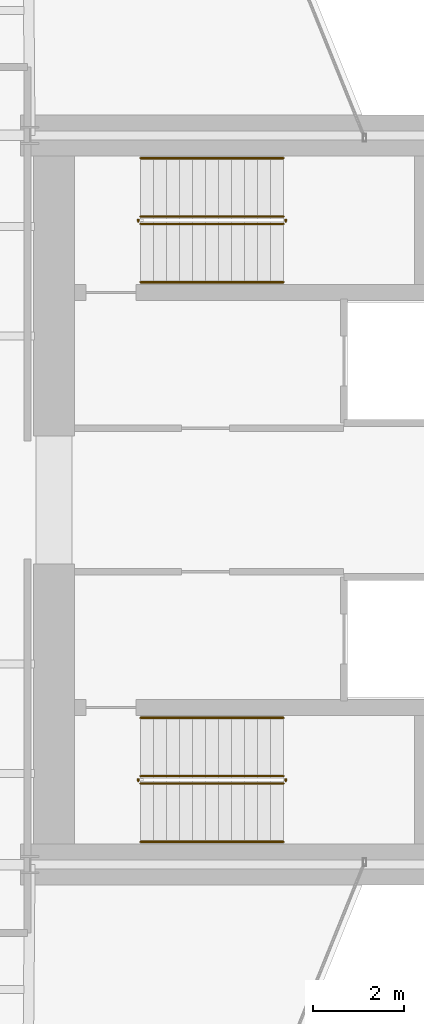
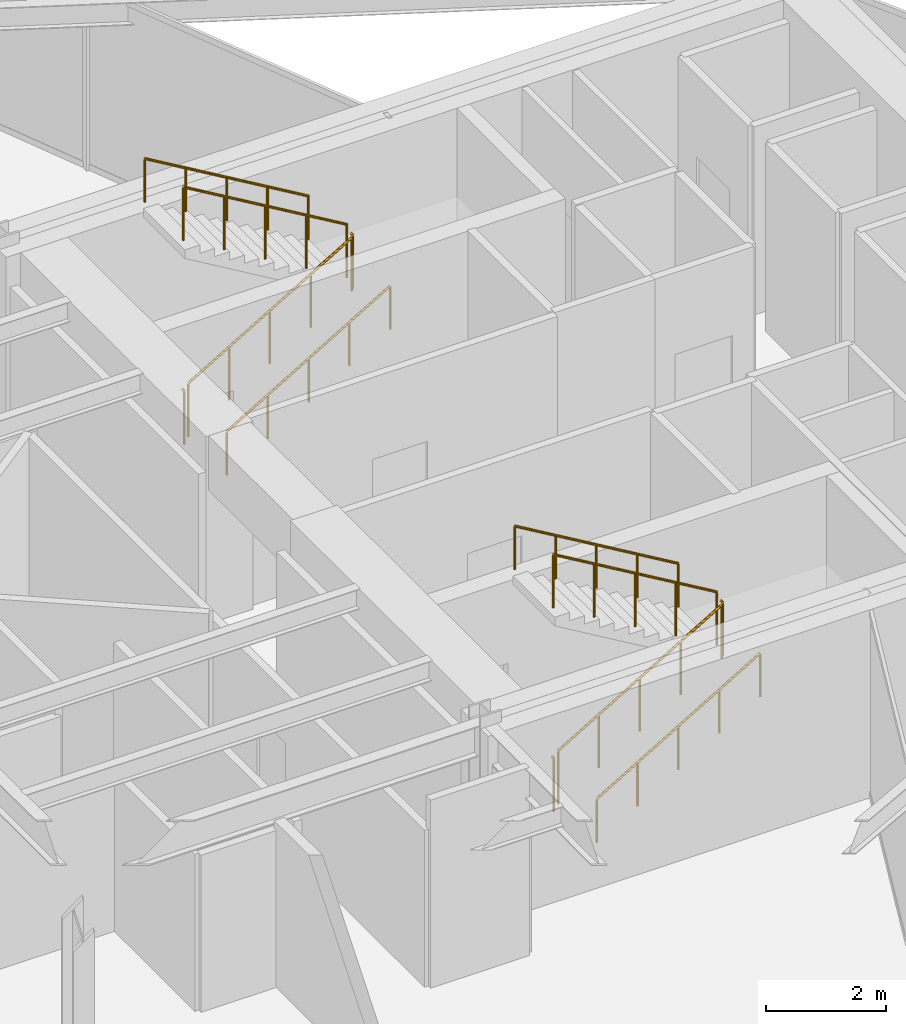
# One storey, part 30 of 30: 12 railings.
"""IFC4 building model written with IfcOpenShell, lengths in metres."""

from ifc_helpers import new_model, si_unit, direction, frame, origin, origin_2d, place, context, subcontext, project, spatial, circle, extrude, material, type_object, element, save


model = new_model("IFC4")

# Units and contexts
model_context = context("Model", 3, precision=1e-05, world=origin(), true_north=direction((0.0, 1.0)))
body_context = subcontext(model_context, "Body", "Model", "MODEL_VIEW")
ifc_project = project(units=[si_unit("LENGTHUNIT", "METRE"), si_unit("AREAUNIT", "SQUARE_METRE"), si_unit("VOLUMEUNIT", "CUBIC_METRE"), si_unit("PLANEANGLEUNIT", "RADIAN"), si_unit("MASSUNIT", "GRAM", prefix="KILO")], contexts=[model_context])

# Site, building, storey
site_placement = place(None, origin())
site = spatial("IfcSite", under=ifc_project, at=site_placement, CompositionType="ELEMENT")
building_placement = place(site_placement, origin())
building = spatial("IfcBuilding", under=site, at=building_placement, Name="Veymaron Broadcast Tower", CompositionType="ELEMENT")
storey_placement = place(building_placement, frame((0.0, 0.0, 66.14990234375)))
storey = spatial("IfcBuildingStorey", under=building, at=storey_placement, Name="L14", CompositionType="ELEMENT", Elevation=66.14990234375)

# Railings
ifc_material_1 = material(Name="Brushed stainless steel AISI 304", Category="steel")
railing_type_1 = type_object("IfcRailingType", Name="RAIL-STAIR-HR", PredefinedType="HANDRAIL", material=ifc_material_1)
railing_1_placement = place(storey_placement, frame((41.429931640625, 28.780029296875, 0.1689453125)))
element("IfcRailing", 1, at=railing_1_placement, inside=storey, type_object=railing_type_1, Name="L14 ST1 stair handrail 1", PredefinedType="HANDRAIL", context=body_context, shape_type="SweptSolid", body=[
    extrude(circle(Radius=0.02392578125, at=origin_2d()), frame((0.0, 0.0, 0.8759765625), z_axis=(0.860481960309, 0.0, 0.509480908359), x_axis=(0.0, 1.0, 0.0)), (0.0, 0.0, 1.0), 3.643310546875),
    extrude(circle(Radius=0.02099609375, at=origin_2d()), origin(), (0.0, 0.0, 1.0), 0.851806640625),
    extrude(circle(Radius=0.02099609375, at=origin_2d()), frame((0.78369140625, 0.0, 0.464111328125)), (0.0, 0.0, 1.0), 0.851806640625),
    extrude(circle(Radius=0.02099609375, at=origin_2d()), frame((1.5673828125, 0.0, 0.92822265625)), (0.0, 0.0, 1.0), 0.851806640625),
    extrude(circle(Radius=0.02099609375, at=origin_2d()), frame((2.351318359375, 0.0, 1.39208984375)), (0.0, 0.0, 1.0), 0.851806640625),
    extrude(circle(Radius=0.02099609375, at=origin_2d()), frame((3.135009765625, 0.0, 1.856201171875)), (0.0, 0.0, 1.0), 0.851806640625),
])
railing_2_placement = place(storey_placement, frame((44.56494140625, 31.5, 2.19384765625)))
element("IfcRailing", 2, at=railing_2_placement, inside=storey, type_object=railing_type_1, Name="L14 ST1 stair handrail 2", PredefinedType="HANDRAIL", context=body_context, shape_type="SweptSolid", body=[
    extrude(circle(Radius=0.02392578125, at=origin_2d()), frame((0.0, 0.0, 0.8759765625), z_axis=(-0.860481960309, 0.0, 0.509480908359), x_axis=(0.0, -1.0, 0.0)), (0.0, 0.0, 1.0), 3.643310546875),
    extrude(circle(Radius=0.02099609375, at=origin_2d()), origin(), (0.0, 0.0, 1.0), 0.851806640625),
    extrude(circle(Radius=0.02099609375, at=origin_2d()), frame((-0.78369140625, 0.0, 0.464111328125)), (0.0, 0.0, 1.0), 0.851806640625),
    extrude(circle(Radius=0.02099609375, at=origin_2d()), frame((-1.5673828125, 0.0, 0.92822265625)), (0.0, 0.0, 1.0), 0.851806640625),
    extrude(circle(Radius=0.02099609375, at=origin_2d()), frame((-2.351318359375, 0.0, 1.39208984375)), (0.0, 0.0, 1.0), 0.851806640625),
    extrude(circle(Radius=0.02099609375, at=origin_2d()), frame((-3.135009765625, 0.0, 1.856201171875)), (0.0, 0.0, 1.0), 0.851806640625),
])
railing_3_placement = place(storey_placement, frame((41.429931640625, 16.5, 0.1689453125)))
element("IfcRailing", 3, at=railing_3_placement, inside=storey, type_object=railing_type_1, Name="L14 ST2 stair handrail 1", PredefinedType="HANDRAIL", context=body_context, shape_type="SweptSolid", body=[
    extrude(circle(Radius=0.02392578125, at=origin_2d()), frame((0.0, 0.0, 0.8759765625), z_axis=(0.860481960309, 0.0, 0.509480908359), x_axis=(0.0, 1.0, 0.0)), (0.0, 0.0, 1.0), 3.643310546875),
    extrude(circle(Radius=0.02099609375, at=origin_2d()), origin(), (0.0, 0.0, 1.0), 0.851806640625),
    extrude(circle(Radius=0.02099609375, at=origin_2d()), frame((0.78369140625, 0.0, 0.464111328125)), (0.0, 0.0, 1.0), 0.851806640625),
    extrude(circle(Radius=0.02099609375, at=origin_2d()), frame((1.5673828125, 0.0, 0.92822265625)), (0.0, 0.0, 1.0), 0.851806640625),
    extrude(circle(Radius=0.02099609375, at=origin_2d()), frame((2.351318359375, 0.0, 1.39208984375)), (0.0, 0.0, 1.0), 0.851806640625),
    extrude(circle(Radius=0.02099609375, at=origin_2d()), frame((3.135009765625, 0.0, 1.856201171875)), (0.0, 0.0, 1.0), 0.851806640625),
])
railing_4_placement = place(storey_placement, frame((44.56494140625, 19.219970703125, 2.19384765625)))
element("IfcRailing", 4, at=railing_4_placement, inside=storey, type_object=railing_type_1, Name="L14 ST2 stair handrail 2", PredefinedType="HANDRAIL", context=body_context, shape_type="SweptSolid", body=[
    extrude(circle(Radius=0.02392578125, at=origin_2d()), frame((0.0, 0.0, 0.8759765625), z_axis=(-0.860481960309, 0.0, 0.509480908359), x_axis=(0.0, -1.0, 0.0)), (0.0, 0.0, 1.0), 3.643310546875),
    extrude(circle(Radius=0.02099609375, at=origin_2d()), origin(), (0.0, 0.0, 1.0), 0.851806640625),
    extrude(circle(Radius=0.02099609375, at=origin_2d()), frame((-0.78369140625, 0.0, 0.464111328125)), (0.0, 0.0, 1.0), 0.851806640625),
    extrude(circle(Radius=0.02099609375, at=origin_2d()), frame((-1.5673828125, 0.0, 0.92822265625)), (0.0, 0.0, 1.0), 0.851806640625),
    extrude(circle(Radius=0.02099609375, at=origin_2d()), frame((-2.351318359375, 0.0, 1.39208984375)), (0.0, 0.0, 1.0), 0.851806640625),
    extrude(circle(Radius=0.02099609375, at=origin_2d()), frame((-3.135009765625, 0.0, 1.856201171875)), (0.0, 0.0, 1.0), 0.851806640625),
])
ifc_material_2 = material(Name="Painted galvanized steel balustrade", Category="steel")
railing_type_2 = type_object("IfcRailingType", Name="RAIL-WELL-GRD", PredefinedType="GUARDRAIL", material=ifc_material_2)
railing_5_placement = place(storey_placement, frame((41.429931640625, 30.06005859375, 0.1689453125)))
element("IfcRailing", 5, at=railing_5_placement, inside=storey, type_object=railing_type_2, Name="L14 ST1 stair guard 1", PredefinedType="GUARDRAIL", context=body_context, shape_type="SweptSolid", body=[
    extrude(circle(Radius=0.02392578125, at=origin_2d()), frame((0.0, 0.0, 1.076171875), z_axis=(0.860481960309, 0.0, 0.509480908359), x_axis=(0.0, 1.0, 0.0)), (0.0, 0.0, 1.0), 3.643310546875),
    extrude(circle(Radius=0.02099609375, at=origin_2d()), origin(), (0.0, 0.0, 1.0), 1.052001953125),
    extrude(circle(Radius=0.02099609375, at=origin_2d()), frame((0.78369140625, 0.0, 0.464111328125)), (0.0, 0.0, 1.0), 1.052001953125),
    extrude(circle(Radius=0.02099609375, at=origin_2d()), frame((1.5673828125, 0.0, 0.92822265625)), (0.0, 0.0, 1.0), 1.052001953125),
    extrude(circle(Radius=0.02099609375, at=origin_2d()), frame((2.351318359375, 0.0, 1.39208984375)), (0.0, 0.0, 1.0), 1.052001953125),
    extrude(circle(Radius=0.02099609375, at=origin_2d()), frame((3.135009765625, 0.0, 1.856201171875)), (0.0, 0.0, 1.0), 1.052001953125),
])
railing_6_placement = place(storey_placement, frame((44.614990234375, 30.110107421875, 2.025146484375)))
element("IfcRailing", 6, at=railing_6_placement, inside=storey, type_object=railing_type_2, Name="L14 ST1 stair guard 2", PredefinedType="GUARDRAIL", context=body_context, shape_type="SweptSolid", body=[
    extrude(circle(Radius=0.02392578125, at=origin_2d()), frame((0.0, 0.0, 1.076171875), z_axis=(0.0, 1.0, 0.0), x_axis=(-1.0, 0.0, 0.0)), (0.0, 0.0, 1.0), 0.059814453125),
    extrude(circle(Radius=0.02099609375, at=origin_2d()), origin(), (0.0, 0.0, 1.0), 1.052001953125),
])
railing_7_placement = place(storey_placement, frame((44.56494140625, 30.219970703125, 2.19384765625)))
element("IfcRailing", 7, at=railing_7_placement, inside=storey, type_object=railing_type_2, Name="L14 ST1 stair guard 3", PredefinedType="GUARDRAIL", context=body_context, shape_type="SweptSolid", body=[
    extrude(circle(Radius=0.02392578125, at=origin_2d()), frame((0.0, 0.0, 1.076171875), z_axis=(-0.860481960309, 0.0, 0.509480908359), x_axis=(0.0, -1.0, 0.0)), (0.0, 0.0, 1.0), 3.643310546875),
    extrude(circle(Radius=0.02099609375, at=origin_2d()), origin(), (0.0, 0.0, 1.0), 1.052001953125),
    extrude(circle(Radius=0.02099609375, at=origin_2d()), frame((-0.78369140625, 0.0, 0.464111328125)), (0.0, 0.0, 1.0), 1.052001953125),
    extrude(circle(Radius=0.02099609375, at=origin_2d()), frame((-1.5673828125, 0.0, 0.92822265625)), (0.0, 0.0, 1.0), 1.052001953125),
    extrude(circle(Radius=0.02099609375, at=origin_2d()), frame((-2.351318359375, 0.0, 1.39208984375)), (0.0, 0.0, 1.0), 1.052001953125),
    extrude(circle(Radius=0.02099609375, at=origin_2d()), frame((-3.135009765625, 0.0, 1.856201171875)), (0.0, 0.0, 1.0), 1.052001953125),
])
railing_8_placement = place(storey_placement, frame((41.3798828125, 30.110107421875, 0.0)))
element("IfcRailing", 8, at=railing_8_placement, inside=storey, type_object=railing_type_2, Name="L14 ST1 stair guard 4", PredefinedType="GUARDRAIL", context=body_context, shape_type="SweptSolid", body=[
    extrude(circle(Radius=0.02392578125, at=origin_2d()), frame((0.0, 0.0, 1.076171875), z_axis=(0.0, 1.0, 0.0), x_axis=(-1.0, 0.0, 0.0)), (0.0, 0.0, 1.0), 0.059814453125),
    extrude(circle(Radius=0.02099609375, at=origin_2d()), origin(), (0.0, 0.0, 1.0), 1.052001953125),
])
railing_9_placement = place(storey_placement, frame((41.429931640625, 17.780029296875, 0.1689453125)))
element("IfcRailing", 9, at=railing_9_placement, inside=storey, type_object=railing_type_2, Name="L14 ST2 stair guard 1", PredefinedType="GUARDRAIL", context=body_context, shape_type="SweptSolid", body=[
    extrude(circle(Radius=0.02392578125, at=origin_2d()), frame((0.0, 0.0, 1.076171875), z_axis=(0.860481960309, 0.0, 0.509480908359), x_axis=(0.0, 1.0, 0.0)), (0.0, 0.0, 1.0), 3.643310546875),
    extrude(circle(Radius=0.02099609375, at=origin_2d()), origin(), (0.0, 0.0, 1.0), 1.052001953125),
    extrude(circle(Radius=0.02099609375, at=origin_2d()), frame((0.78369140625, 0.0, 0.464111328125)), (0.0, 0.0, 1.0), 1.052001953125),
    extrude(circle(Radius=0.02099609375, at=origin_2d()), frame((1.5673828125, 0.0, 0.92822265625)), (0.0, 0.0, 1.0), 1.052001953125),
    extrude(circle(Radius=0.02099609375, at=origin_2d()), frame((2.351318359375, 0.0, 1.39208984375)), (0.0, 0.0, 1.0), 1.052001953125),
    extrude(circle(Radius=0.02099609375, at=origin_2d()), frame((3.135009765625, 0.0, 1.856201171875)), (0.0, 0.0, 1.0), 1.052001953125),
])
railing_10_placement = place(storey_placement, frame((44.614990234375, 17.830078125, 2.025146484375)))
element("IfcRailing", 10, at=railing_10_placement, inside=storey, type_object=railing_type_2, Name="L14 ST2 stair guard 2", PredefinedType="GUARDRAIL", context=body_context, shape_type="SweptSolid", body=[
    extrude(circle(Radius=0.02392578125, at=origin_2d()), frame((0.0, 0.0, 1.076171875), z_axis=(0.0, 1.0, 0.0), x_axis=(-1.0, 0.0, 0.0)), (0.0, 0.0, 1.0), 0.059814453125),
    extrude(circle(Radius=0.02099609375, at=origin_2d()), origin(), (0.0, 0.0, 1.0), 1.052001953125),
])
railing_11_placement = place(storey_placement, frame((44.56494140625, 17.93994140625, 2.19384765625)))
element("IfcRailing", 11, at=railing_11_placement, inside=storey, type_object=railing_type_2, Name="L14 ST2 stair guard 3", PredefinedType="GUARDRAIL", context=body_context, shape_type="SweptSolid", body=[
    extrude(circle(Radius=0.02392578125, at=origin_2d()), frame((0.0, 0.0, 1.076171875), z_axis=(-0.860481960309, 0.0, 0.509480908359), x_axis=(0.0, -1.0, 0.0)), (0.0, 0.0, 1.0), 3.643310546875),
    extrude(circle(Radius=0.02099609375, at=origin_2d()), origin(), (0.0, 0.0, 1.0), 1.052001953125),
    extrude(circle(Radius=0.02099609375, at=origin_2d()), frame((-0.78369140625, 0.0, 0.464111328125)), (0.0, 0.0, 1.0), 1.052001953125),
    extrude(circle(Radius=0.02099609375, at=origin_2d()), frame((-1.5673828125, 0.0, 0.92822265625)), (0.0, 0.0, 1.0), 1.052001953125),
    extrude(circle(Radius=0.02099609375, at=origin_2d()), frame((-2.351318359375, 0.0, 1.39208984375)), (0.0, 0.0, 1.0), 1.052001953125),
    extrude(circle(Radius=0.02099609375, at=origin_2d()), frame((-3.135009765625, 0.0, 1.856201171875)), (0.0, 0.0, 1.0), 1.052001953125),
])
railing_12_placement = place(storey_placement, frame((41.3798828125, 17.830078125, 0.0)))
element("IfcRailing", 12, at=railing_12_placement, inside=storey, type_object=railing_type_2, Name="L14 ST2 stair guard 4", PredefinedType="GUARDRAIL", context=body_context, shape_type="SweptSolid", body=[
    extrude(circle(Radius=0.02392578125, at=origin_2d()), frame((0.0, 0.0, 1.076171875), z_axis=(0.0, 1.0, 0.0), x_axis=(-1.0, 0.0, 0.0)), (0.0, 0.0, 1.0), 0.059814453125),
    extrude(circle(Radius=0.02099609375, at=origin_2d()), origin(), (0.0, 0.0, 1.0), 1.052001953125),
])

save(model, "model.ifc")
